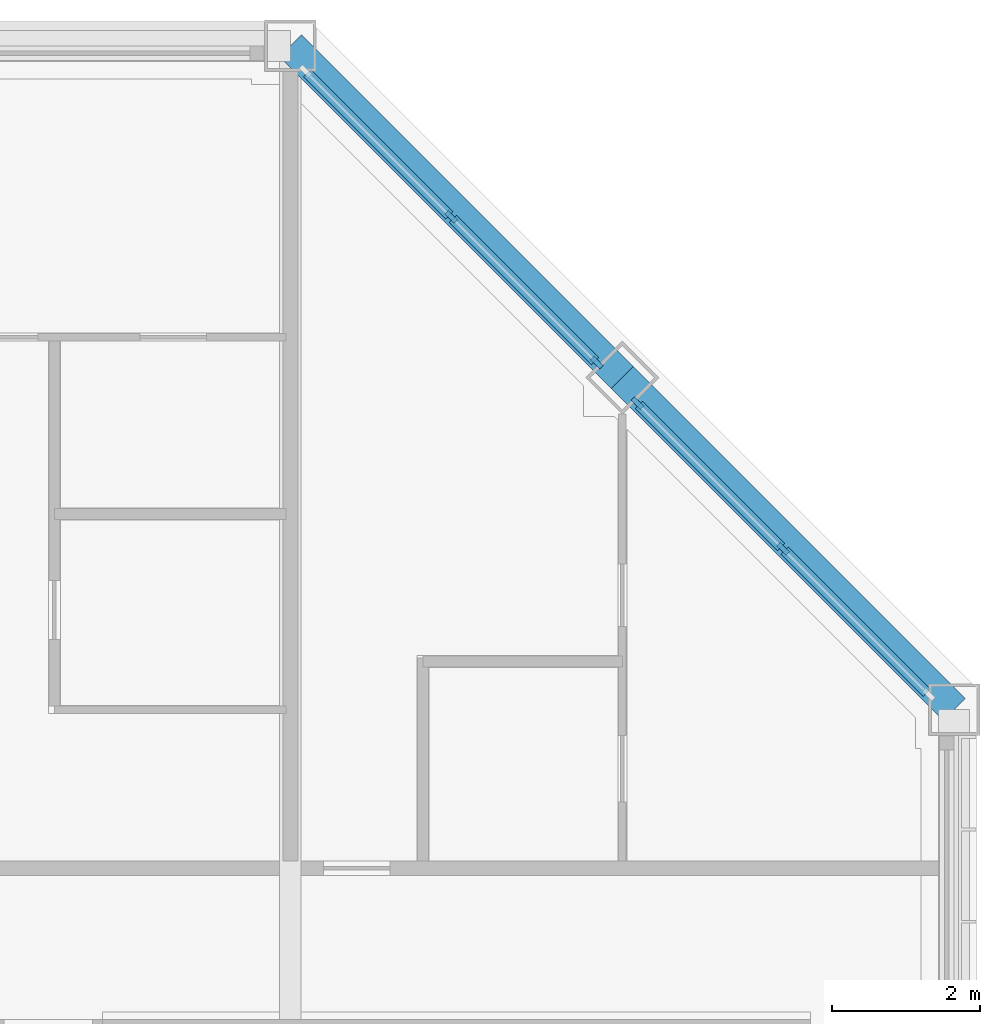
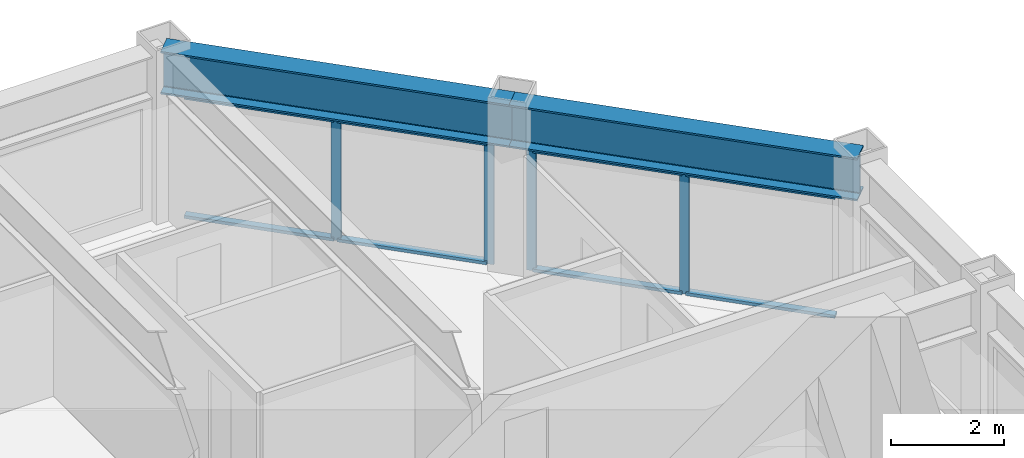
# One storey, part 7 of 18: 12 members, 2 beams, 2 elements without a shape of their own.
"""IFC4 building model written with IfcOpenShell, lengths in metres."""

from ifc_helpers import new_model, si_unit, direction, frame, origin, origin_2d, place, context, subcontext, project, spatial, rectangle, i_section, extrude, material, material_profile, profile_set, type_object, element, aggregate, save


model = new_model("IFC4")

# Units and contexts
model_context = context("Model", 3, precision=1e-05, world=origin(), true_north=direction((0.0, 1.0)))
body_context = subcontext(model_context, "Body", "Model", "MODEL_VIEW")
ifc_project = project(units=[si_unit("LENGTHUNIT", "METRE"), si_unit("AREAUNIT", "SQUARE_METRE"), si_unit("VOLUMEUNIT", "CUBIC_METRE"), si_unit("PLANEANGLEUNIT", "RADIAN"), si_unit("MASSUNIT", "GRAM", prefix="KILO")], contexts=[model_context])

# Site, building, storey
site_placement = place(None, origin())
site = spatial("IfcSite", under=ifc_project, at=site_placement, CompositionType="ELEMENT")
building_placement = place(site_placement, origin())
building = spatial("IfcBuilding", under=site, at=building_placement, Name="Msasa Ring Tower", CompositionType="ELEMENT")
storey_placement = place(building_placement, frame((0.0, 0.0, 230.800048828125)))
storey = spatial("IfcBuildingStorey", under=building, at=storey_placement, Name="L60", CompositionType="ELEMENT", Elevation=230.800048828125)

# Curtain wall, members
ifc_material_1 = material(Name="Aluminium curtain wall with clear glass", Category="aluminium")
curtain_wall_type = type_object("IfcCurtainWallType", Name="CW-C CHAMFER CORNER CURTAIN WALL", PredefinedType="NOTDEFINED", material=ifc_material_1)
curtain_wall_1_placement = place(storey_placement, origin())
curtain_wall_1 = element("IfcCurtainWall", 1, at=curtain_wall_1_placement, inside=storey, type_object=curtain_wall_type, Name="Chamfer corner curtain wall NE L60", PredefinedType="NOTDEFINED")
ifc_material_2 = material(Name="Aluminium mullion", Category="aluminium")
ifc_material_profile_1 = material_profile(ifc_material_2, rectangle(XDim=0.06494140625, YDim=0.179931640625, at=origin_2d()), Name="AL 65x180")
ifc_profile_set_1 = profile_set([ifc_material_profile_1], Name="Aluminium mullion")
member_type_1 = type_object("IfcMemberType", Name="CW-C MULLION 65x180", PredefinedType="MULLION", material=ifc_profile_set_1)
member_1_placement = place(storey_placement, frame((15.4052734375, 15.953369140625, 0.0), z_axis=(0.0, 0.0, 1.0), x_axis=(-0.707106781187, -0.707106781187, 0.0)))
member_1 = element("IfcMember", 2, at=member_1_placement, type_object=member_type_1, Name="CW-C mullion 1", PredefinedType="MULLION", context=body_context, shape_type="SweptSolid", body=[
    extrude(rectangle(XDim=0.06494140625, YDim=0.179931640625, at=origin_2d()), origin(), (0.0, 0.0, 1.0), 2.62890625),
])
member_2_placement = place(storey_placement, frame((13.42919921875, 17.92919921875, 0.0), z_axis=(0.0, 0.0, 1.0), x_axis=(-0.707106781187, -0.707106781187, 0.0)))
member_2 = element("IfcMember", 3, at=member_2_placement, type_object=member_type_1, Name="CW-C mullion 2", PredefinedType="MULLION", context=body_context, shape_type="SweptSolid", body=[
    extrude(rectangle(XDim=0.06494140625, YDim=0.179931640625, at=origin_2d()), origin(), (0.0, 0.0, 1.0), 2.62890625),
])

curtain_wall_2_placement = place(storey_placement, origin())
curtain_wall_2 = element("IfcCurtainWall", 4, at=curtain_wall_2_placement, inside=storey, type_object=curtain_wall_type, Name="Chamfer corner curtain wall NE L60", PredefinedType="NOTDEFINED")
member_3_placement = place(storey_placement, frame((17.92919921875, 13.42919921875, 0.0), z_axis=(0.0, 0.0, 1.0), x_axis=(-0.707106781187, -0.707106781187, 0.0)))
member_3 = element("IfcMember", 5, at=member_3_placement, type_object=member_type_1, Name="CW-C mullion 2", PredefinedType="MULLION", context=body_context, shape_type="SweptSolid", body=[
    extrude(rectangle(XDim=0.06494140625, YDim=0.179931640625, at=origin_2d()), origin(), (0.0, 0.0, 1.0), 2.62890625),
])
member_4_placement = place(storey_placement, frame((15.953369140625, 15.4052734375, 0.0), z_axis=(0.0, 0.0, 1.0), x_axis=(-0.707106781187, -0.707106781187, 0.0)))
member_4 = element("IfcMember", 6, at=member_4_placement, type_object=member_type_1, Name="CW-C mullion 3", PredefinedType="MULLION", context=body_context, shape_type="SweptSolid", body=[
    extrude(rectangle(XDim=0.06494140625, YDim=0.179931640625, at=origin_2d()), origin(), (0.0, 0.0, 1.0), 2.62890625),
])

# Member
ifc_material_3 = material(Name="Aluminium transom", Category="aluminium")
ifc_material_profile_2 = material_profile(ifc_material_3, rectangle(XDim=0.139892578125, YDim=0.06494140625, at=origin_2d()), Name="AL 65x140")
ifc_profile_set_2 = profile_set([ifc_material_profile_2], Name="Aluminium transom")
member_type_2 = type_object("IfcMemberType", Name="CW-C TRANSOM 65x140", PredefinedType="USERDEFINED", material=ifc_profile_set_2)
member_5_placement = place(storey_placement, frame((15.38232421875, 15.976318359375, 0.032470703125), z_axis=(-0.707106781187, 0.707106781187, 0.0), x_axis=(-0.707106781187, -0.707106781187, 0.0)))
member_5 = element("IfcMember", 7, at=member_5_placement, type_object=member_type_2, Name="CW-C transom 1.1", ObjectType="TRANSOM", PredefinedType="USERDEFINED", context=body_context, shape_type="SweptSolid", body=[
    extrude(rectangle(XDim=0.139892578125, YDim=0.06494140625, at=origin_2d()), origin(), (0.0, 0.0, 1.0), 2.729248046875),
])

member_6_placement = place(storey_placement, frame((15.38232421875, 15.976318359375, 2.596435546875), z_axis=(-0.707106781187, 0.707106781187, 0.0), x_axis=(-0.707106781187, -0.707106781187, 0.0)))
member_6 = element("IfcMember", 8, at=member_6_placement, type_object=member_type_2, Name="CW-C transom 1.2", ObjectType="TRANSOM", PredefinedType="USERDEFINED", context=body_context, shape_type="SweptSolid", body=[
    extrude(rectangle(XDim=0.139892578125, YDim=0.06494140625, at=origin_2d()), origin(), (0.0, 0.0, 1.0), 2.729248046875),
])

member_7_placement = place(storey_placement, frame((13.40625, 17.952392578125, 0.032470703125), z_axis=(-0.707106781187, 0.707106781187, 0.0), x_axis=(-0.707106781187, -0.707106781187, 0.0)))
member_7 = element("IfcMember", 9, at=member_7_placement, type_object=member_type_2, Name="CW-C transom 2.1", ObjectType="TRANSOM", PredefinedType="USERDEFINED", context=body_context, shape_type="SweptSolid", body=[
    extrude(rectangle(XDim=0.139892578125, YDim=0.06494140625, at=origin_2d()), origin(), (0.0, 0.0, 1.0), 2.729248046875),
])

member_8_placement = place(storey_placement, frame((13.40625, 17.952392578125, 2.596435546875), z_axis=(-0.707106781187, 0.707106781187, 0.0), x_axis=(-0.707106781187, -0.707106781187, 0.0)))
member_8 = element("IfcMember", 10, at=member_8_placement, type_object=member_type_2, Name="CW-C transom 2.2", ObjectType="TRANSOM", PredefinedType="USERDEFINED", context=body_context, shape_type="SweptSolid", body=[
    extrude(rectangle(XDim=0.139892578125, YDim=0.06494140625, at=origin_2d()), origin(), (0.0, 0.0, 1.0), 2.729248046875),
])

aggregate(curtain_wall_1, [member_1, member_2, member_5, member_6, member_7, member_8])

member_9_placement = place(storey_placement, frame((19.88232421875, 11.476318359375, 0.032470703125), z_axis=(-0.707106781187, 0.707106781187, 0.0), x_axis=(-0.707106781187, -0.707106781187, 0.0)))
member_9 = element("IfcMember", 11, at=member_9_placement, type_object=member_type_2, Name="CW-C transom 1.1", ObjectType="TRANSOM", PredefinedType="USERDEFINED", context=body_context, shape_type="SweptSolid", body=[
    extrude(rectangle(XDim=0.139892578125, YDim=0.06494140625, at=origin_2d()), origin(), (0.0, 0.0, 1.0), 2.729248046875),
])

member_10_placement = place(storey_placement, frame((19.88232421875, 11.476318359375, 2.596435546875), z_axis=(-0.707106781187, 0.707106781187, 0.0), x_axis=(-0.707106781187, -0.707106781187, 0.0)))
member_10 = element("IfcMember", 12, at=member_10_placement, type_object=member_type_2, Name="CW-C transom 1.2", ObjectType="TRANSOM", PredefinedType="USERDEFINED", context=body_context, shape_type="SweptSolid", body=[
    extrude(rectangle(XDim=0.139892578125, YDim=0.06494140625, at=origin_2d()), origin(), (0.0, 0.0, 1.0), 2.729248046875),
])

member_11_placement = place(storey_placement, frame((17.90625, 13.452392578125, 0.032470703125), z_axis=(-0.707106781187, 0.707106781187, 0.0), x_axis=(-0.707106781187, -0.707106781187, 0.0)))
member_11 = element("IfcMember", 13, at=member_11_placement, type_object=member_type_2, Name="CW-C transom 2.1", ObjectType="TRANSOM", PredefinedType="USERDEFINED", context=body_context, shape_type="SweptSolid", body=[
    extrude(rectangle(XDim=0.139892578125, YDim=0.06494140625, at=origin_2d()), origin(), (0.0, 0.0, 1.0), 2.729248046875),
])

member_12_placement = place(storey_placement, frame((17.90625, 13.452392578125, 2.596435546875), z_axis=(-0.707106781187, 0.707106781187, 0.0), x_axis=(-0.707106781187, -0.707106781187, 0.0)))
member_12 = element("IfcMember", 14, at=member_12_placement, type_object=member_type_2, Name="CW-C transom 2.2", ObjectType="TRANSOM", PredefinedType="USERDEFINED", context=body_context, shape_type="SweptSolid", body=[
    extrude(rectangle(XDim=0.139892578125, YDim=0.06494140625, at=origin_2d()), origin(), (0.0, 0.0, 1.0), 2.729248046875),
])

aggregate(curtain_wall_2, [member_3, member_4, member_9, member_10, member_11, member_12])

# Beams
ifc_material_4 = material(Name="Steel S355", Category="steel")
ifc_material_profile_3 = material_profile(ifc_material_4, i_section(OverallWidth=0.42041015625, OverallDepth=0.9208984375, WebThickness=0.021484375, FlangeThickness=0.03662109375, FilletRadius=0.024169921875, at=origin_2d()), Name="UB 914x419x388")
ifc_profile_set_3 = profile_set([ifc_material_profile_3], Name="Steel S355")
beam_type = type_object("IfcBeamType", Name="SB1 UB 914x419x388", PredefinedType="SPANDREL", material=ifc_profile_set_3)
for number, where, z_axis, x_axis, name in (
    (15, (20.25, 11.25, 3.08935546875), (-0.707106781187, 0.707106781187, 0.0), (-0.707106781187, -0.707106781187, 0.0), "Spandrel E+11.25 to NE under L61"),
    (16, (15.75, 15.75, 3.08935546875), (-0.707106781187, 0.707106781187, 0.0), (-0.707106781187, -0.707106781187, 0.0), "Spandrel NE to N+11.25 under L61"),
):
    element("IfcBeam", number, at=place(storey_placement, frame(where, z_axis=z_axis, x_axis=x_axis)), inside=storey, type_object=beam_type, Name=name, PredefinedType="SPANDREL", context=body_context, shape_type="SweptSolid", body=[
        extrude(i_section(OverallWidth=0.42041015625, OverallDepth=0.9208984375, WebThickness=0.021484375, FlangeThickness=0.03662109375, FilletRadius=0.024169921875, at=origin_2d()), origin(), (0.0, 0.0, 1.0), 6.364013671875),
    ])

save(model, "model.ifc")
